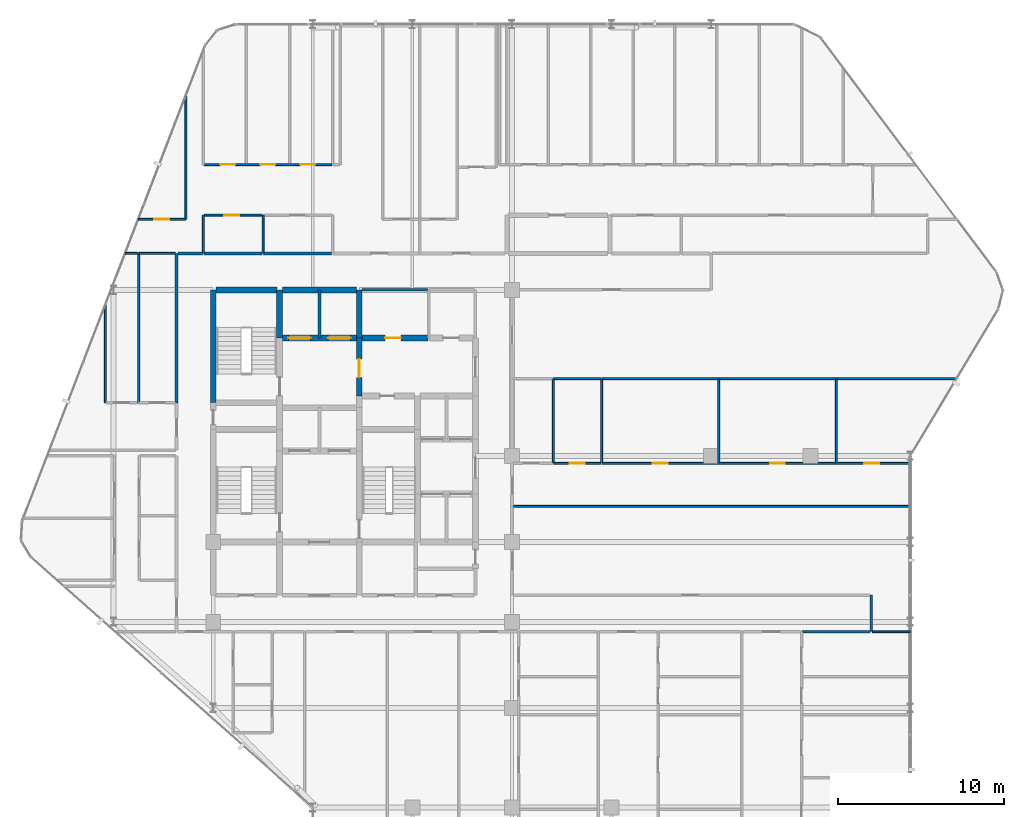
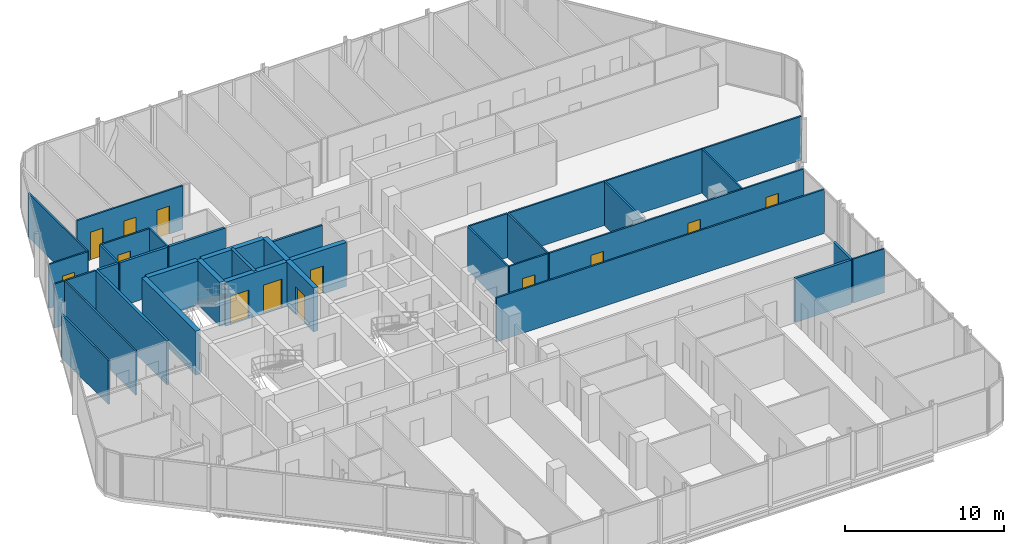
# One storey, part 28 of 31: 36 walls, 13 doors, 13 openings.
"""IFC4 building model written with IfcOpenShell, lengths in metres."""

from ifc_helpers import new_model, si_unit, direction, frame, frame_2d, origin, place, context, subcontext, project, spatial, rectangle, extrude, material, layer, layer_set, type_object, element, fill, save


model = new_model("IFC4")

# Units and contexts
model_context = context("Model", 3, precision=1e-05, world=origin(), true_north=direction((0.0, 1.0)))
body_context = subcontext(model_context, "Body", "Model", "MODEL_VIEW")
ifc_project = project(units=[si_unit("LENGTHUNIT", "METRE"), si_unit("AREAUNIT", "SQUARE_METRE"), si_unit("VOLUMEUNIT", "CUBIC_METRE"), si_unit("PLANEANGLEUNIT", "RADIAN"), si_unit("MASSUNIT", "GRAM", prefix="KILO")], contexts=[model_context])

# Site, building, storey
site_placement = place(None, origin())
site = spatial("IfcSite", under=ifc_project, at=site_placement, CompositionType="ELEMENT")
building_placement = place(site_placement, origin())
building = spatial("IfcBuilding", under=site, at=building_placement, Name="Keshet Zoharim Tower", CompositionType="ELEMENT")
storey_placement = place(building_placement, frame((0.0, 0.0, 148.300048828125)))
storey = spatial("IfcBuildingStorey", under=building, at=storey_placement, Name="L36", CompositionType="ELEMENT", Elevation=148.300048828125)

# Walls
ifc_material_1 = material(Name="Gypsum Plasterboard", Category="gypsum")
ifc_layer_1 = layer(ifc_material_1, 0.14990234375)
ifc_layer_set_1 = layer_set([ifc_layer_1], Name="Gypsum Plasterboard")
wall_type_1 = type_object("IfcWallType", Name="WL-CLIN-150", PredefinedType="STANDARD", material=ifc_layer_set_1)
wall_1_placement = place(storey_placement, frame((54.64990234375, 17.31005859375, 0.0), z_axis=(0.0, 0.0, 1.0), x_axis=(0.0, 1.0, 0.0)))
element("IfcWall", 1, at=wall_1_placement, inside=storey, type_object=wall_type_1, Name="L36 Interior Wall 104", PredefinedType="STANDARD", context=body_context, shape_type="SweptSolid", body=[
    extrude(rectangle(XDim=2.18994140625, YDim=0.14990234375, at=frame_2d((1.094970703125, 0.0))), origin(), (0.0, 0.0, 1.0), 3.385009765625),
])
wall_2_placement = place(storey_placement, frame((23.9599609375, 37.89990234375, 0.0), z_axis=(0.0, 0.0, 1.0), x_axis=(1.0, 0.0, 0.0)))
element("IfcWall", 2, at=wall_2_placement, inside=storey, type_object=wall_type_1, Name="L36 Interior Wall 174", PredefinedType="STANDARD", context=body_context, shape_type="SweptSolid", body=[
    extrude(rectangle(XDim=3.9951171875, YDim=0.14990234375, at=frame_2d((1.99755859375, 0.0))), origin(), (0.0, 0.0, 1.0), 2.885009765625),
])
ifc_material_2 = material(Name="Concrete C60/75", Category="concrete")
ifc_layer_2 = layer(ifc_material_2, 0.35009765625)
ifc_layer_set_2 = layer_set([ifc_layer_2], Name="Concrete C60/75")
wall_type_2 = type_object("IfcWallType", Name="WL-CORE-350", PredefinedType="SHEAR", material=ifc_layer_set_2)
wall_3_placement = place(storey_placement, frame((15.0, 31.10009765625, 0.0), z_axis=(0.0, 0.0, 1.0), x_axis=(0.0, 1.0, 0.0)))
element("IfcWall", 3, at=wall_3_placement, inside=storey, type_object=wall_type_2, Name="L36 Core Shear Wall 017", PredefinedType="SHEAR", context=body_context, shape_type="SweptSolid", body=[
    extrude(rectangle(XDim=6.7998046875, YDim=0.35009765625, at=frame_2d((3.39990234375, 0.0))), origin(), (0.0, 0.0, 1.0), 3.385009765625),
])
wall_4_placement = place(storey_placement, frame((19.0, 35.0, 0.0), z_axis=(0.0, 0.0, 1.0), x_axis=(0.0, 1.0, 0.0)))
element("IfcWall", 4, at=wall_4_placement, inside=storey, type_object=wall_type_2, Name="L36 Core Shear Wall 028", PredefinedType="SHEAR", context=body_context, shape_type="SweptSolid", body=[
    extrude(rectangle(XDim=2.89990234375, YDim=0.35009765625, at=frame_2d((1.449951171875, 0.0))), origin(), (0.0, 0.0, 1.0), 3.385009765625),
])

# Wall, opening, door
wall_5_placement = place(storey_placement, frame((23.800048828125, 31.5, 0.0), z_axis=(0.0, 0.0, 1.0), x_axis=(0.0, 1.0, 0.0)))
wall_5 = element("IfcWall", 5, at=wall_5_placement, inside=storey, type_object=wall_type_2, Name="L36 Core Shear Wall 041", PredefinedType="SHEAR", context=body_context, shape_type="SweptSolid", body=[
    extrude(rectangle(XDim=3.5, YDim=0.35009765625, at=frame_2d((1.75, 0.0))), origin(), (0.0, 0.0, 1.0), 3.385009765625),
])
opening_1_placement = place(wall_5_placement, frame((1.126953125, 0.0, 0.0)))
opening_1 = element("IfcOpeningElement", 6, at=opening_1_placement, cuts=wall_5, Name="Opening D-F611", PredefinedType="OPENING", context=body_context, shape_type="SweptSolid", body=[
    extrude(rectangle(XDim=1.10009765625, YDim=2.14990234375, at=frame_2d((0.550048828125, 1.074951171875))), frame((0.0, 0.18505859375, 0.0), z_axis=(0.0, -1.0, 0.0), x_axis=(1.0, 0.0, 0.0)), (0.0, 0.0, 1.0), 0.3701171875),
])
ifc_material_3 = material(Name="Hardwood Timber", Category="wood")
door_type_1 = type_object("IfcDoorType", Name="DR-FD60-110", OperationType="NOTDEFINED", PredefinedType="DOOR", material=ifc_material_3)
door_1_placement = place(opening_1_placement, origin())
door_1 = element("IfcDoor", 7, at=door_1_placement, inside=storey, type_object=door_type_1, Name="L36 Firefighting Lobby Fire Door", OperationType="SINGLE_SWING_RIGHT", OverallHeight=2.14990234375, OverallWidth=1.10009765625, PredefinedType="DOOR", context=body_context, shape_type="SweptSolid", body=[
    extrude(rectangle(XDim=1.10009765625, YDim=2.14990234375, at=frame_2d((0.550048828125, 1.074951171875))), frame((0.0, 0.02490234375, 0.0), z_axis=(0.0, -1.0, 0.0), x_axis=(1.0, 0.0, 0.0)), (0.0, 0.0, 1.0), 0.050048828125),
])
fill(opening_1, door_1)

# Wall
wall_6_placement = place(storey_placement, frame((23.800048828125, 35.0, 0.0), z_axis=(0.0, 0.0, 1.0), x_axis=(0.0, 1.0, 0.0)))
element("IfcWall", 8, at=wall_6_placement, inside=storey, type_object=wall_type_2, Name="L36 Core Shear Wall 042", PredefinedType="SHEAR", context=body_context, shape_type="SweptSolid", body=[
    extrude(rectangle(XDim=2.89990234375, YDim=0.35009765625, at=frame_2d((1.449951171875, 0.0))), origin(), (0.0, 0.0, 1.0), 3.385009765625),
])

# Wall, openings, doors
wall_7_placement = place(storey_placement, frame((19.159912109375, 35.0, 0.0), z_axis=(0.0, 0.0, 1.0), x_axis=(1.0, 0.0, 0.0)))
wall_7 = element("IfcWall", 9, at=wall_7_placement, inside=storey, type_object=wall_type_2, Name="L36 Core Shear Wall 169", PredefinedType="SHEAR", context=body_context, shape_type="SweptSolid", body=[
    extrude(rectangle(XDim=4.47998046875, YDim=0.35009765625, at=frame_2d((2.239990234375, 0.0))), origin(), (0.0, 0.0, 1.0), 3.385009765625),
])
opening_2_placement = place(wall_7_placement, frame((0.364990234375, 0.0, 0.0)))
opening_2 = element("IfcOpeningElement", 10, at=opening_2_placement, cuts=wall_7, Name="Opening LD-02", PredefinedType="OPENING", context=body_context, shape_type="SweptSolid", body=[
    extrude(rectangle(XDim=1.35009765625, YDim=2.199951171875, at=frame_2d((0.675048828125, 1.10009765625))), frame((0.0, 0.18505859375, 0.0), z_axis=(0.0, -1.0, 0.0), x_axis=(1.0, 0.0, 0.0)), (0.0, 0.0, 1.0), 0.3701171875),
])
opening_3_placement = place(wall_7_placement, frame((2.764892578125, 0.0, 0.0)))
opening_3 = element("IfcOpeningElement", 11, at=opening_3_placement, cuts=wall_7, Name="Opening LD-02", PredefinedType="OPENING", context=body_context, shape_type="SweptSolid", body=[
    extrude(rectangle(XDim=1.35009765625, YDim=2.199951171875, at=frame_2d((0.675048828125, 1.10009765625))), frame((0.0, 0.18505859375, 0.0), z_axis=(0.0, -1.0, 0.0), x_axis=(1.0, 0.0, 0.0)), (0.0, 0.0, 1.0), 0.3701171875),
])
ifc_material_4 = material(Name="Steel S355", Category="steel")
door_type_2 = type_object("IfcDoorType", Name="DR-LD02-135", OperationType="DOUBLE_DOOR_SLIDING", PredefinedType="DOOR", material=ifc_material_4)
door_2_placement = place(opening_2_placement, origin())
door_2 = element("IfcDoor", 12, at=door_2_placement, inside=storey, type_object=door_type_2, Name="L36 Firefighting Lift Landing Door FF-01", OperationType="DOUBLE_DOOR_SLIDING", OverallHeight=2.199951171875, OverallWidth=1.35009765625, PredefinedType="DOOR", context=body_context, shape_type="SweptSolid", body=[
    extrude(rectangle(XDim=1.35009765625, YDim=2.199951171875, at=frame_2d((0.675048828125, 1.10009765625))), frame((0.0, 0.02490234375, 0.0), z_axis=(0.0, -1.0, 0.0), x_axis=(1.0, 0.0, 0.0)), (0.0, 0.0, 1.0), 0.050048828125),
])
fill(opening_2, door_2)
door_3_placement = place(opening_3_placement, origin())
door_3 = element("IfcDoor", 13, at=door_3_placement, inside=storey, type_object=door_type_2, Name="L36 Firefighting Lift Landing Door FF-02", OperationType="DOUBLE_DOOR_SLIDING", OverallHeight=2.199951171875, OverallWidth=1.35009765625, PredefinedType="DOOR", context=body_context, shape_type="SweptSolid", body=[
    extrude(rectangle(XDim=1.35009765625, YDim=2.199951171875, at=frame_2d((0.675048828125, 1.10009765625))), frame((0.0, 0.02490234375, 0.0), z_axis=(0.0, -1.0, 0.0), x_axis=(1.0, 0.0, 0.0)), (0.0, 0.0, 1.0), 0.050048828125),
])
fill(opening_3, door_3)

# Wall, opening, door
wall_8_placement = place(storey_placement, frame((23.9599609375, 35.0, 0.0), z_axis=(0.0, 0.0, 1.0), x_axis=(1.0, 0.0, 0.0)))
wall_8 = element("IfcWall", 14, at=wall_8_placement, inside=storey, type_object=wall_type_2, Name="L36 Core Shear Wall 170", PredefinedType="SHEAR", context=body_context, shape_type="SweptSolid", body=[
    extrude(rectangle(XDim=3.9951171875, YDim=0.35009765625, at=frame_2d((1.99755859375, 0.0))), origin(), (0.0, 0.0, 1.0), 3.385009765625),
])
opening_4_placement = place(wall_8_placement, frame((1.39306640625, 0.0, 0.0)))
opening_4 = element("IfcOpeningElement", 15, at=opening_4_placement, cuts=wall_8, Name="Opening D-F695", PredefinedType="OPENING", context=body_context, shape_type="SweptSolid", body=[
    extrude(rectangle(XDim=0.949951171875, YDim=2.14990234375, at=frame_2d((0.47509765625, 1.074951171875))), frame((0.0, 0.18505859375, 0.0), z_axis=(0.0, -1.0, 0.0), x_axis=(1.0, 0.0, 0.0)), (0.0, 0.0, 1.0), 0.3701171875),
])
door_type_3 = type_object("IfcDoorType", Name="DR-FD60-095", OperationType="NOTDEFINED", PredefinedType="DOOR", material=ifc_material_3)
door_4_placement = place(opening_4_placement, frame((0.949951171875, 0.0, 0.0), z_axis=(0.0, 0.0, 1.0), x_axis=(-1.0, 0.0, 0.0)))
door_4 = element("IfcDoor", 16, at=door_4_placement, inside=storey, type_object=door_type_3, Name="L36 Laundry Room Door", OperationType="SINGLE_SWING_LEFT", OverallHeight=2.14990234375, OverallWidth=0.949951171875, PredefinedType="DOOR", context=body_context, shape_type="SweptSolid", body=[
    extrude(rectangle(XDim=0.949951171875, YDim=2.14990234375, at=frame_2d((0.47509765625, 1.074951171875))), frame((0.0, 0.02490234375, 0.0), z_axis=(0.0, -1.0, 0.0), x_axis=(1.0, 0.0, 0.0)), (0.0, 0.0, 1.0), 0.050048828125),
])
fill(opening_4, door_4)

# Walls
wall_9_placement = place(storey_placement, frame((15.159912109375, 37.89990234375, 0.0), z_axis=(0.0, 0.0, 1.0), x_axis=(1.0, 0.0, 0.0)))
element("IfcWall", 17, at=wall_9_placement, inside=storey, type_object=wall_type_2, Name="L36 Core Shear Wall 172", PredefinedType="SHEAR", context=body_context, shape_type="SweptSolid", body=[
    extrude(rectangle(XDim=3.68017578125, YDim=0.35009765625, at=frame_2d((1.840087890625, 0.0))), origin(), (0.0, 0.0, 1.0), 3.385009765625),
])
wall_10_placement = place(storey_placement, frame((19.159912109375, 37.89990234375, 0.0), z_axis=(0.0, 0.0, 1.0), x_axis=(1.0, 0.0, 0.0)))
element("IfcWall", 18, at=wall_10_placement, inside=storey, type_object=wall_type_2, Name="L36 Core Shear Wall 173", PredefinedType="SHEAR", context=body_context, shape_type="SweptSolid", body=[
    extrude(rectangle(XDim=4.47998046875, YDim=0.35009765625, at=frame_2d((2.239990234375, 0.0))), origin(), (0.0, 0.0, 1.0), 3.385009765625),
])
ifc_layer_3 = layer(ifc_material_1, 0.179931640625)
ifc_layer_set_3 = layer_set([ifc_layer_3], Name="Gypsum Plasterboard")
wall_type_3 = type_object("IfcWallType", Name="WL-CORR-180", PredefinedType="STANDARD", material=ifc_layer_set_3)
wall_11_placement = place(storey_placement, frame((12.800048828125, 31.090087890625, 0.0), z_axis=(0.0, 0.0, 1.0), x_axis=(0.0, 1.0, 0.0)))
element("IfcWall", 19, at=wall_11_placement, inside=storey, type_object=wall_type_3, Name="L36 Interior Wall 010", PredefinedType="STANDARD", context=body_context, shape_type="SweptSolid", body=[
    extrude(rectangle(XDim=9.010009765625, YDim=0.179931640625, at=frame_2d((4.5048828125, 0.0))), origin(), (0.0, 0.0, 1.0), 3.385009765625),
])
wall_12_placement = place(storey_placement, frame((50.485107421875, 17.300048828125, 0.0), z_axis=(0.0, 0.0, 1.0), x_axis=(1.0, 0.0, 0.0)))
element("IfcWall", 20, at=wall_12_placement, inside=storey, type_object=wall_type_3, Name="L36 Interior Wall 130", PredefinedType="STANDARD", context=body_context, shape_type="SweptSolid", body=[
    extrude(rectangle(XDim=4.094970703125, YDim=0.179931640625, at=frame_2d((2.04736328125, 0.0))), origin(), (0.0, 0.0, 1.0), 3.385009765625),
])
wall_13_placement = place(storey_placement, frame((12.875, 40.10009765625, 0.0), z_axis=(0.0, 0.0, 1.0), x_axis=(1.0, 0.0, 0.0)))
element("IfcWall", 21, at=wall_13_placement, inside=storey, type_object=wall_type_3, Name="L36 Interior Wall 179", PredefinedType="STANDARD", context=body_context, shape_type="SweptSolid", body=[
    extrude(rectangle(XDim=1.47998046875, YDim=0.179931640625, at=frame_2d((0.739990234375, 0.0))), origin(), (0.0, 0.0, 1.0), 3.385009765625),
])
wall_14_placement = place(storey_placement, frame((14.445068359375, 40.10009765625, 0.0), z_axis=(0.0, 0.0, 1.0), x_axis=(1.0, 0.0, 0.0)))
element("IfcWall", 22, at=wall_14_placement, inside=storey, type_object=wall_type_3, Name="L36 Interior Wall 180", PredefinedType="STANDARD", context=body_context, shape_type="SweptSolid", body=[
    extrude(rectangle(XDim=3.489013671875, YDim=0.179931640625, at=frame_2d((1.74462890625, 0.0))), origin(), (0.0, 0.0, 1.0), 3.385009765625),
])
wall_15_placement = place(storey_placement, frame((18.02392578125, 40.10009765625, 0.0), z_axis=(0.0, 0.0, 1.0), x_axis=(1.0, 0.0, 0.0)))
element("IfcWall", 23, at=wall_15_placement, inside=storey, type_object=wall_type_3, Name="L36 Interior Wall 181", PredefinedType="STANDARD", context=body_context, shape_type="SweptSolid", body=[
    extrude(rectangle(XDim=4.111083984375, YDim=0.179931640625, at=frame_2d((2.0556640625, 0.0))), origin(), (0.0, 0.0, 1.0), 3.385009765625),
])
ifc_material_5 = material(Name="Concrete C50/60", Category="concrete")
ifc_layer_4 = layer(ifc_material_5, 0.199951171875)
ifc_layer_set_4 = layer_set([ifc_layer_4], Name="Concrete C50/60")
wall_type_4 = type_object("IfcWallType", Name="WL-FIRE-200", PredefinedType="STANDARD", material=ifc_layer_set_4)
wall_16_placement = place(storey_placement, frame((21.39990234375, 35.0, 0.0), z_axis=(0.0, 0.0, 1.0), x_axis=(0.0, 1.0, 0.0)))
element("IfcWall", 24, at=wall_16_placement, inside=storey, type_object=wall_type_4, Name="L36 Interior Wall 032", PredefinedType="STANDARD", context=body_context, shape_type="SweptSolid", body=[
    extrude(rectangle(XDim=2.89990234375, YDim=0.199951171875, at=frame_2d((1.449951171875, 0.0))), origin(), (0.0, 0.0, 1.0), 3.385009765625),
])
ifc_layer_5 = layer(ifc_material_1, 0.1201171875)
ifc_layer_set_5 = layer_set([ifc_layer_5], Name="Gypsum Plasterboard")
wall_type_5 = type_object("IfcWallType", Name="WL-PART-120", PredefinedType="PARTITIONING", material=ifc_layer_set_5)
wall_17_placement = place(storey_placement, frame((8.5, 31.090087890625, 0.0), z_axis=(0.0, 0.0, 1.0), x_axis=(0.0, 1.0, 0.0)))
element("IfcWall", 25, at=wall_17_placement, inside=storey, type_object=wall_type_5, Name="L36 Interior Wall 001", PredefinedType="PARTITIONING", context=body_context, shape_type="SweptSolid", body=[
    extrude(rectangle(XDim=5.89990234375, YDim=0.1201171875, at=frame_2d((2.949951171875, 0.0))), origin(), (0.0, 0.0, 1.0), 3.385009765625),
])
wall_18_placement = place(storey_placement, frame((13.35009765625, 42.14990234375, 0.0), z_axis=(0.0, 0.0, 1.0), x_axis=(0.0, 1.0, 0.0)))
element("IfcWall", 26, at=wall_18_placement, inside=storey, type_object=wall_type_5, Name="L36 Interior Wall 011", PredefinedType="PARTITIONING", context=body_context, shape_type="SweptSolid", body=[
    extrude(rectangle(XDim=7.4501953125, YDim=0.1201171875, at=frame_2d((3.72509765625, 0.0))), origin(), (0.0, 0.0, 1.0), 3.385009765625),
])
wall_19_placement = place(storey_placement, frame((14.39990234375, 40.10009765625, 0.0), z_axis=(0.0, 0.0, 1.0), x_axis=(0.0, 1.0, 0.0)))
element("IfcWall", 27, at=wall_19_placement, inside=storey, type_object=wall_type_5, Name="L36 Interior Wall 012", PredefinedType="PARTITIONING", context=body_context, shape_type="SweptSolid", body=[
    extrude(rectangle(XDim=2.2998046875, YDim=0.1201171875, at=frame_2d((1.14990234375, 0.0))), origin(), (0.0, 0.0, 1.0), 3.385009765625),
])
for number, where, z_axis, x_axis, name in (
    (28, (45.449951171875, 27.469970703125, 0.0), (0.0, 0.0, 1.0), (0.0, 1.0, 0.0), "L36 Interior Wall 093"),
    (29, (52.550048828125, 27.469970703125, 0.0), (0.0, 0.0, 1.0), (0.0, 1.0, 0.0), "L36 Interior Wall 102"),
):
    element("IfcWall", number, at=place(storey_placement, frame(where, z_axis=z_axis, x_axis=x_axis)), inside=storey, type_object=wall_type_5, Name=name, PredefinedType="PARTITIONING", context=body_context, shape_type="SweptSolid", body=[
        extrude(rectangle(XDim=5.070068359375, YDim=0.1201171875, at=frame_2d((2.53515625, 0.0))), origin(), (0.0, 0.0, 1.0), 3.385009765625),
    ])
wall_20_placement = place(storey_placement, frame((33.0849609375, 24.85009765625, 0.0), z_axis=(0.0, 0.0, 1.0), x_axis=(1.0, 0.0, 0.0)))
element("IfcWall", 30, at=wall_20_placement, inside=storey, type_object=wall_type_5, Name="L36 Interior Wall 147", PredefinedType="PARTITIONING", context=body_context, shape_type="SweptSolid", body=[
    extrude(rectangle(XDim=23.905029296875, YDim=0.1201171875, at=frame_2d((11.95263671875, 0.0))), origin(), (0.0, 0.0, 1.0), 3.385009765625),
])

# Wall, openings, doors
wall_21_placement = place(storey_placement, frame((38.445068359375, 27.449951171875, 0.0), z_axis=(0.0, 0.0, 1.0), x_axis=(1.0, 0.0, 0.0)))
wall_21 = element("IfcWall", 31, at=wall_21_placement, inside=storey, type_object=wall_type_5, Name="L36 Interior Wall 151", PredefinedType="PARTITIONING", context=body_context, shape_type="SweptSolid", body=[
    extrude(rectangle(XDim=18.544921875, YDim=0.1201171875, at=frame_2d((9.2724609375, 0.0))), origin(), (0.0, 0.0, 1.0), 3.385009765625),
])
opening_5_placement = place(wall_21_placement, frame((3.0419921875, 0.0, 0.0)))
opening_5 = element("IfcOpeningElement", 32, at=opening_5_placement, cuts=wall_21, Name="Opening D-IN90", PredefinedType="OPENING", context=body_context, shape_type="SweptSolid", body=[
    extrude(rectangle(XDim=0.89990234375, YDim=2.14990234375, at=frame_2d((0.449951171875, 1.074951171875))), frame((0.0, 0.070068359375, 0.0), z_axis=(0.0, -1.0, 0.0), x_axis=(1.0, 0.0, 0.0)), (0.0, 0.0, 1.0), 0.14013671875),
])
opening_6_placement = place(wall_21_placement, frame((10.10302734375, 0.0, 0.0)))
opening_6 = element("IfcOpeningElement", 33, at=opening_6_placement, cuts=wall_21, Name="Opening D-IN90", PredefinedType="OPENING", context=body_context, shape_type="SweptSolid", body=[
    extrude(rectangle(XDim=0.89990234375, YDim=2.14990234375, at=frame_2d((0.449951171875, 1.074951171875))), frame((0.0, 0.070068359375, 0.0), z_axis=(0.0, -1.0, 0.0), x_axis=(1.0, 0.0, 0.0)), (0.0, 0.0, 1.0), 0.14013671875),
])
opening_7_placement = place(wall_21_placement, frame((15.791015625, 0.0, 0.0)))
opening_7 = element("IfcOpeningElement", 34, at=opening_7_placement, cuts=wall_21, Name="Opening D-IN90", PredefinedType="OPENING", context=body_context, shape_type="SweptSolid", body=[
    extrude(rectangle(XDim=0.89990234375, YDim=2.14990234375, at=frame_2d((0.449951171875, 1.074951171875))), frame((0.0, 0.070068359375, 0.0), z_axis=(0.0, -1.0, 0.0), x_axis=(1.0, 0.0, 0.0)), (0.0, 0.0, 1.0), 0.14013671875),
])
door_type_4 = type_object("IfcDoorType", Name="DR-INT-090", OperationType="NOTDEFINED", PredefinedType="DOOR", material=ifc_material_3)
door_5_placement = place(opening_5_placement, origin())
door_5 = element("IfcDoor", 35, at=door_5_placement, inside=storey, type_object=door_type_4, Name="Apartment 3609 Bedroom 1 Door", OperationType="SINGLE_SWING_LEFT", OverallHeight=2.14990234375, OverallWidth=0.89990234375, PredefinedType="DOOR", context=body_context, shape_type="SweptSolid", body=[
    extrude(rectangle(XDim=0.89990234375, YDim=2.14990234375, at=frame_2d((0.449951171875, 1.074951171875))), frame((0.0, 0.02490234375, 0.0), z_axis=(0.0, -1.0, 0.0), x_axis=(1.0, 0.0, 0.0)), (0.0, 0.0, 1.0), 0.050048828125),
])
fill(opening_5, door_5)
door_6_placement = place(opening_6_placement, origin())
door_6 = element("IfcDoor", 36, at=door_6_placement, inside=storey, type_object=door_type_4, Name="Apartment 3609 Bedroom 2 Door", OperationType="SINGLE_SWING_RIGHT", OverallHeight=2.14990234375, OverallWidth=0.89990234375, PredefinedType="DOOR", context=body_context, shape_type="SweptSolid", body=[
    extrude(rectangle(XDim=0.89990234375, YDim=2.14990234375, at=frame_2d((0.449951171875, 1.074951171875))), frame((0.0, 0.02490234375, 0.0), z_axis=(0.0, -1.0, 0.0), x_axis=(1.0, 0.0, 0.0)), (0.0, 0.0, 1.0), 0.050048828125),
])
fill(opening_6, door_6)
door_7_placement = place(opening_7_placement, origin())
door_7 = element("IfcDoor", 37, at=door_7_placement, inside=storey, type_object=door_type_4, Name="Apartment 3609 Bedroom 3 Door", OperationType="SINGLE_SWING_LEFT", OverallHeight=2.14990234375, OverallWidth=0.89990234375, PredefinedType="DOOR", context=body_context, shape_type="SweptSolid", body=[
    extrude(rectangle(XDim=0.89990234375, YDim=2.14990234375, at=frame_2d((0.449951171875, 1.074951171875))), frame((0.0, 0.02490234375, 0.0), z_axis=(0.0, -1.0, 0.0), x_axis=(1.0, 0.0, 0.0)), (0.0, 0.0, 1.0), 0.050048828125),
])
fill(opening_7, door_7)

# Walls
wall_22_placement = place(storey_placement, frame((38.445068359375, 32.550048828125, 0.0), z_axis=(0.0, 0.0, 1.0), x_axis=(1.0, 0.0, 0.0)))
element("IfcWall", 38, at=wall_22_placement, inside=storey, type_object=wall_type_5, Name="L36 Interior Wall 168", PredefinedType="PARTITIONING", context=body_context, shape_type="SweptSolid", body=[
    extrude(rectangle(XDim=21.3349609375, YDim=0.1201171875, at=frame_2d((10.66748046875, 0.0))), origin(), (0.0, 0.0, 1.0), 3.385009765625),
])
wall_23_placement = place(storey_placement, frame((9.701904296875, 40.10009765625, 0.0), z_axis=(0.0, 0.0, 1.0), x_axis=(1.0, 0.0, 0.0)))
element("IfcWall", 39, at=wall_23_placement, inside=storey, type_object=wall_type_5, Name="L36 Interior Wall 177", PredefinedType="PARTITIONING", context=body_context, shape_type="SweptSolid", body=[
    extrude(rectangle(XDim=0.731201171875, YDim=0.1201171875, at=frame_2d((0.36572265625, 0.0))), origin(), (0.0, 0.0, 1.0), 3.385009765625),
])

# Wall, opening, door
wall_24_placement = place(storey_placement, frame((10.490966796875, 42.14990234375, 0.0), z_axis=(0.0, 0.0, 1.0), x_axis=(1.0, 0.0, 0.0)))
wall_24 = element("IfcWall", 40, at=wall_24_placement, inside=storey, type_object=wall_type_5, Name="L36 Interior Wall 187", PredefinedType="PARTITIONING", context=body_context, shape_type="SweptSolid", body=[
    extrude(rectangle(XDim=2.828125, YDim=0.1201171875, at=frame_2d((1.4140625, 0.0))), origin(), (0.0, 0.0, 1.0), 3.385009765625),
])
opening_8_placement = place(wall_24_placement, frame((0.962890625, 0.0, 0.0)))
opening_8 = element("IfcOpeningElement", 41, at=opening_8_placement, cuts=wall_24, Name="Opening D-IN90", PredefinedType="OPENING", context=body_context, shape_type="SweptSolid", body=[
    extrude(rectangle(XDim=0.89990234375, YDim=2.14990234375, at=frame_2d((0.449951171875, 1.074951171875))), frame((0.0, 0.070068359375, 0.0), z_axis=(0.0, -1.0, 0.0), x_axis=(1.0, 0.0, 0.0)), (0.0, 0.0, 1.0), 0.14013671875),
])
door_8_placement = place(opening_8_placement, origin())
door_8 = element("IfcDoor", 42, at=door_8_placement, inside=storey, type_object=door_type_4, Name="Apartment 3605 Home Study Room Door", OperationType="SINGLE_SWING_RIGHT", OverallHeight=2.14990234375, OverallWidth=0.89990234375, PredefinedType="DOOR", context=body_context, shape_type="SweptSolid", body=[
    extrude(rectangle(XDim=0.89990234375, YDim=2.14990234375, at=frame_2d((0.449951171875, 1.074951171875))), frame((0.0, 0.02490234375, 0.0), z_axis=(0.0, -1.0, 0.0), x_axis=(1.0, 0.0, 0.0)), (0.0, 0.0, 1.0), 0.050048828125),
])
fill(opening_8, door_8)

wall_25_placement = place(storey_placement, frame((14.445068359375, 42.39990234375, 0.0), z_axis=(0.0, 0.0, 1.0), x_axis=(1.0, 0.0, 0.0)))
wall_25 = element("IfcWall", 43, at=wall_25_placement, inside=storey, type_object=wall_type_5, Name="L36 Interior Wall 190", PredefinedType="PARTITIONING", context=body_context, shape_type="SweptSolid", body=[
    extrude(rectangle(XDim=3.489013671875, YDim=0.1201171875, at=frame_2d((1.74462890625, 0.0))), origin(), (0.0, 0.0, 1.0), 3.385009765625),
])
opening_9_placement = place(wall_25_placement, frame((1.221923828125, 0.0, 0.0)))
opening_9 = element("IfcOpeningElement", 44, at=opening_9_placement, cuts=wall_25, Name="Opening D-IN90", PredefinedType="OPENING", context=body_context, shape_type="SweptSolid", body=[
    extrude(rectangle(XDim=0.89990234375, YDim=2.14990234375, at=frame_2d((0.449951171875, 1.074951171875))), frame((0.0, 0.070068359375, 0.0), z_axis=(0.0, -1.0, 0.0), x_axis=(1.0, 0.0, 0.0)), (0.0, 0.0, 1.0), 0.14013671875),
])
door_9_placement = place(opening_9_placement, origin())
door_9 = element("IfcDoor", 45, at=door_9_placement, inside=storey, type_object=door_type_4, Name="Apartment 3605 Kitchen Door", OperationType="SINGLE_SWING_LEFT", OverallHeight=2.14990234375, OverallWidth=0.89990234375, PredefinedType="DOOR", context=body_context, shape_type="SweptSolid", body=[
    extrude(rectangle(XDim=0.89990234375, YDim=2.14990234375, at=frame_2d((0.449951171875, 1.074951171875))), frame((0.0, 0.02490234375, 0.0), z_axis=(0.0, -1.0, 0.0), x_axis=(1.0, 0.0, 0.0)), (0.0, 0.0, 1.0), 0.050048828125),
])
fill(opening_9, door_9)

# Wall, openings, doors
wall_26_placement = place(storey_placement, frame((14.445068359375, 45.449951171875, 0.0), z_axis=(0.0, 0.0, 1.0), x_axis=(1.0, 0.0, 0.0)))
wall_26 = element("IfcWall", 46, at=wall_26_placement, inside=storey, type_object=wall_type_5, Name="L36 Interior Wall 197", PredefinedType="PARTITIONING", context=body_context, shape_type="SweptSolid", body=[
    extrude(rectangle(XDim=7.68994140625, YDim=0.1201171875, at=frame_2d((3.844970703125, 0.0))), origin(), (0.0, 0.0, 1.0), 3.385009765625),
])
opening_10_placement = place(wall_26_placement, frame((0.97607421875, 0.0, 0.0)))
opening_10 = element("IfcOpeningElement", 47, at=opening_10_placement, cuts=wall_26, Name="Opening D-IN90", PredefinedType="OPENING", context=body_context, shape_type="SweptSolid", body=[
    extrude(rectangle(XDim=0.89990234375, YDim=2.14990234375, at=frame_2d((0.449951171875, 1.074951171875))), frame((0.0, 0.070068359375, 0.0), z_axis=(0.0, -1.0, 0.0), x_axis=(1.0, 0.0, 0.0)), (0.0, 0.0, 1.0), 0.14013671875),
])
opening_11_placement = place(wall_26_placement, frame((3.39501953125, 0.0, 0.0)))
opening_11 = element("IfcOpeningElement", 48, at=opening_11_placement, cuts=wall_26, Name="Opening D-IN90", PredefinedType="OPENING", context=body_context, shape_type="SweptSolid", body=[
    extrude(rectangle(XDim=0.89990234375, YDim=2.14990234375, at=frame_2d((0.449951171875, 1.074951171875))), frame((0.0, 0.070068359375, 0.0), z_axis=(0.0, -1.0, 0.0), x_axis=(1.0, 0.0, 0.0)), (0.0, 0.0, 1.0), 0.14013671875),
])
opening_12_placement = place(wall_26_placement, frame((5.81298828125, 0.0, 0.0)))
opening_12 = element("IfcOpeningElement", 49, at=opening_12_placement, cuts=wall_26, Name="Opening D-IN90", PredefinedType="OPENING", context=body_context, shape_type="SweptSolid", body=[
    extrude(rectangle(XDim=0.89990234375, YDim=2.14990234375, at=frame_2d((0.449951171875, 1.074951171875))), frame((0.0, 0.070068359375, 0.0), z_axis=(0.0, -1.0, 0.0), x_axis=(1.0, 0.0, 0.0)), (0.0, 0.0, 1.0), 0.14013671875),
])
door_10_placement = place(opening_10_placement, origin())
door_10 = element("IfcDoor", 50, at=door_10_placement, inside=storey, type_object=door_type_4, Name="Apartment 3605 Bedroom 1 Door", OperationType="SINGLE_SWING_LEFT", OverallHeight=2.14990234375, OverallWidth=0.89990234375, PredefinedType="DOOR", context=body_context, shape_type="SweptSolid", body=[
    extrude(rectangle(XDim=0.89990234375, YDim=2.14990234375, at=frame_2d((0.449951171875, 1.074951171875))), frame((0.0, 0.02490234375, 0.0), z_axis=(0.0, -1.0, 0.0), x_axis=(1.0, 0.0, 0.0)), (0.0, 0.0, 1.0), 0.050048828125),
])
fill(opening_10, door_10)
door_11_placement = place(opening_11_placement, origin())
door_11 = element("IfcDoor", 51, at=door_11_placement, inside=storey, type_object=door_type_4, Name="Apartment 3605 Bedroom 2 Door", OperationType="SINGLE_SWING_RIGHT", OverallHeight=2.14990234375, OverallWidth=0.89990234375, PredefinedType="DOOR", context=body_context, shape_type="SweptSolid", body=[
    extrude(rectangle(XDim=0.89990234375, YDim=2.14990234375, at=frame_2d((0.449951171875, 1.074951171875))), frame((0.0, 0.02490234375, 0.0), z_axis=(0.0, -1.0, 0.0), x_axis=(1.0, 0.0, 0.0)), (0.0, 0.0, 1.0), 0.050048828125),
])
fill(opening_11, door_11)
door_12_placement = place(opening_12_placement, origin())
door_12 = element("IfcDoor", 52, at=door_12_placement, inside=storey, type_object=door_type_4, Name="Apartment 3605 Bedroom 3 Door", OperationType="SINGLE_SWING_LEFT", OverallHeight=2.14990234375, OverallWidth=0.89990234375, PredefinedType="DOOR", context=body_context, shape_type="SweptSolid", body=[
    extrude(rectangle(XDim=0.89990234375, YDim=2.14990234375, at=frame_2d((0.449951171875, 1.074951171875))), frame((0.0, 0.02490234375, 0.0), z_axis=(0.0, -1.0, 0.0), x_axis=(1.0, 0.0, 0.0)), (0.0, 0.0, 1.0), 0.050048828125),
])
fill(opening_12, door_12)

# Walls
ifc_layer_6 = layer(ifc_material_1, 0.1201171875)
ifc_layer_set_6 = layer_set([ifc_layer_6], Name="Gypsum Plasterboard")
wall_type_6 = type_object("IfcWallType", Name="WL-WET-120", PredefinedType="PARTITIONING", material=ifc_layer_set_6)
wall_27_placement = place(storey_placement, frame((10.5, 31.090087890625, 0.0), z_axis=(0.0, 0.0, 1.0), x_axis=(0.0, 1.0, 0.0)))
element("IfcWall", 53, at=wall_27_placement, inside=storey, type_object=wall_type_6, Name="L36 Interior Wall 003", PredefinedType="PARTITIONING", context=body_context, shape_type="SweptSolid", body=[
    extrude(rectangle(XDim=9.010009765625, YDim=0.1201171875, at=frame_2d((4.5048828125, 0.0))), origin(), (0.0, 0.0, 1.0), 3.385009765625),
])
wall_28_placement = place(storey_placement, frame((18.0, 40.10009765625, 0.0), z_axis=(0.0, 0.0, 1.0), x_axis=(0.0, 1.0, 0.0)))
element("IfcWall", 54, at=wall_28_placement, inside=storey, type_object=wall_type_6, Name="L36 Interior Wall 021", PredefinedType="PARTITIONING", context=body_context, shape_type="SweptSolid", body=[
    extrude(rectangle(XDim=2.2998046875, YDim=0.1201171875, at=frame_2d((1.14990234375, 0.0))), origin(), (0.0, 0.0, 1.0), 3.385009765625),
])
for number, where, z_axis, x_axis, name in (
    (55, (35.5, 27.469970703125, 0.0), (0.0, 0.0, 1.0), (0.0, 1.0, 0.0), "L36 Interior Wall 078"),
    (56, (38.39990234375, 27.469970703125, 0.0), (0.0, 0.0, 1.0), (0.0, 1.0, 0.0), "L36 Interior Wall 083"),
):
    element("IfcWall", number, at=place(storey_placement, frame(where, z_axis=z_axis, x_axis=x_axis)), inside=storey, type_object=wall_type_6, Name=name, PredefinedType="PARTITIONING", context=body_context, shape_type="SweptSolid", body=[
        extrude(rectangle(XDim=5.070068359375, YDim=0.1201171875, at=frame_2d((2.53515625, 0.0))), origin(), (0.0, 0.0, 1.0), 3.385009765625),
    ])
wall_29_placement = place(storey_placement, frame((54.7099609375, 17.300048828125, 0.0), z_axis=(0.0, 0.0, 1.0), x_axis=(1.0, 0.0, 0.0)))
element("IfcWall", 57, at=wall_29_placement, inside=storey, type_object=wall_type_6, Name="L36 Interior Wall 131", PredefinedType="PARTITIONING", context=body_context, shape_type="SweptSolid", body=[
    extrude(rectangle(XDim=2.280029296875, YDim=0.1201171875, at=frame_2d((1.14013671875, 0.0))), origin(), (0.0, 0.0, 1.0), 3.385009765625),
])

# Wall, opening, door
wall_30_placement = place(storey_placement, frame((35.529052734375, 27.449951171875, 0.0), z_axis=(0.0, 0.0, 1.0), x_axis=(1.0, 0.0, 0.0)))
wall_30 = element("IfcWall", 58, at=wall_30_placement, inside=storey, type_object=wall_type_6, Name="L36 Interior Wall 150", PredefinedType="PARTITIONING", context=body_context, shape_type="SweptSolid", body=[
    extrude(rectangle(XDim=2.825927734375, YDim=0.1201171875, at=frame_2d((1.4130859375, 0.0))), origin(), (0.0, 0.0, 1.0), 3.385009765625),
])
opening_13_placement = place(wall_30_placement, frame((0.962890625, 0.0, 0.0)))
opening_13 = element("IfcOpeningElement", 59, at=opening_13_placement, cuts=wall_30, Name="Opening D-WT90", PredefinedType="OPENING", context=body_context, shape_type="SweptSolid", body=[
    extrude(rectangle(XDim=0.89990234375, YDim=2.10009765625, at=frame_2d((0.449951171875, 1.050048828125))), frame((0.0, 0.070068359375, 0.0), z_axis=(0.0, -1.0, 0.0), x_axis=(1.0, 0.0, 0.0)), (0.0, 0.0, 1.0), 0.14013671875),
])
door_type_5 = type_object("IfcDoorType", Name="DR-WET-090", OperationType="NOTDEFINED", PredefinedType="DOOR", material=ifc_material_3)
door_13_placement = place(opening_13_placement, origin())
door_13 = element("IfcDoor", 60, at=door_13_placement, inside=storey, type_object=door_type_5, Name="Apartment 3609 Bathroom Door", OperationType="SINGLE_SWING_RIGHT", OverallHeight=2.10009765625, OverallWidth=0.89990234375, PredefinedType="DOOR", context=body_context, shape_type="SweptSolid", body=[
    extrude(rectangle(XDim=0.89990234375, YDim=2.10009765625, at=frame_2d((0.449951171875, 1.050048828125))), frame((0.0, 0.02490234375, 0.0), z_axis=(0.0, -1.0, 0.0), x_axis=(1.0, 0.0, 0.0)), (0.0, 0.0, 1.0), 0.050048828125),
])
fill(opening_13, door_13)

# Walls
wall_31_placement = place(storey_placement, frame((35.529052734375, 32.550048828125, 0.0), z_axis=(0.0, 0.0, 1.0), x_axis=(1.0, 0.0, 0.0)))
element("IfcWall", 61, at=wall_31_placement, inside=storey, type_object=wall_type_6, Name="L36 Interior Wall 167", PredefinedType="PARTITIONING", context=body_context, shape_type="SweptSolid", body=[
    extrude(rectangle(XDim=2.825927734375, YDim=0.1201171875, at=frame_2d((1.4130859375, 0.0))), origin(), (0.0, 0.0, 1.0), 3.385009765625),
])
wall_32_placement = place(storey_placement, frame((10.52294921875, 40.10009765625, 0.0), z_axis=(0.0, 0.0, 1.0), x_axis=(1.0, 0.0, 0.0)))
element("IfcWall", 62, at=wall_32_placement, inside=storey, type_object=wall_type_6, Name="L36 Interior Wall 178", PredefinedType="PARTITIONING", context=body_context, shape_type="SweptSolid", body=[
    extrude(rectangle(XDim=2.2021484375, YDim=0.1201171875, at=frame_2d((1.10107421875, 0.0))), origin(), (0.0, 0.0, 1.0), 3.385009765625),
])

save(model, "model.ifc")
